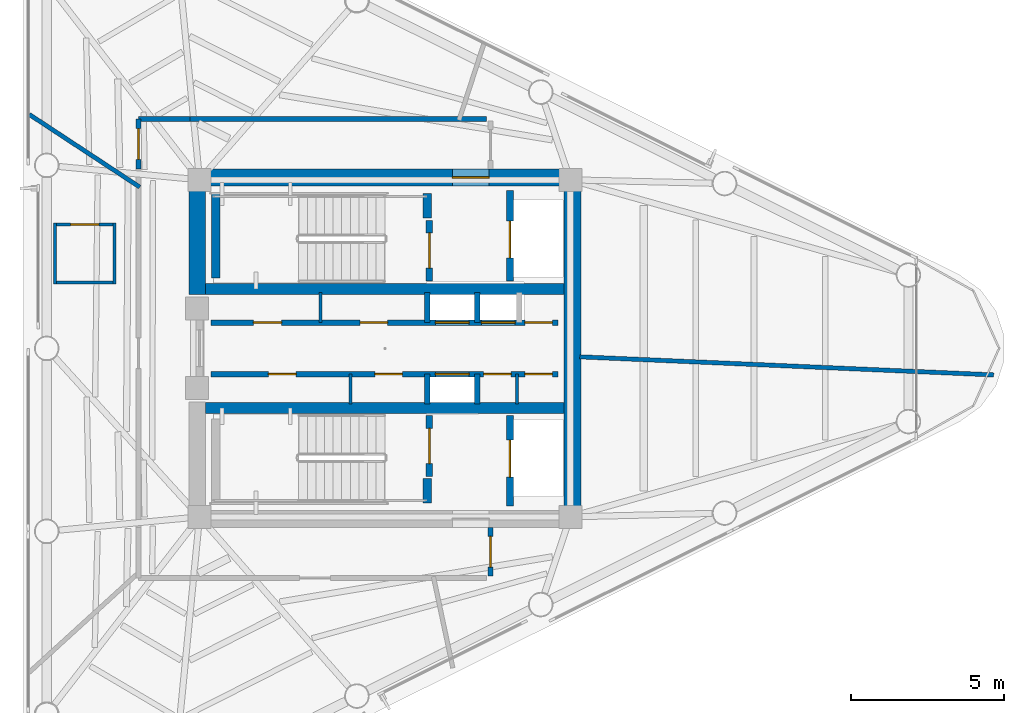
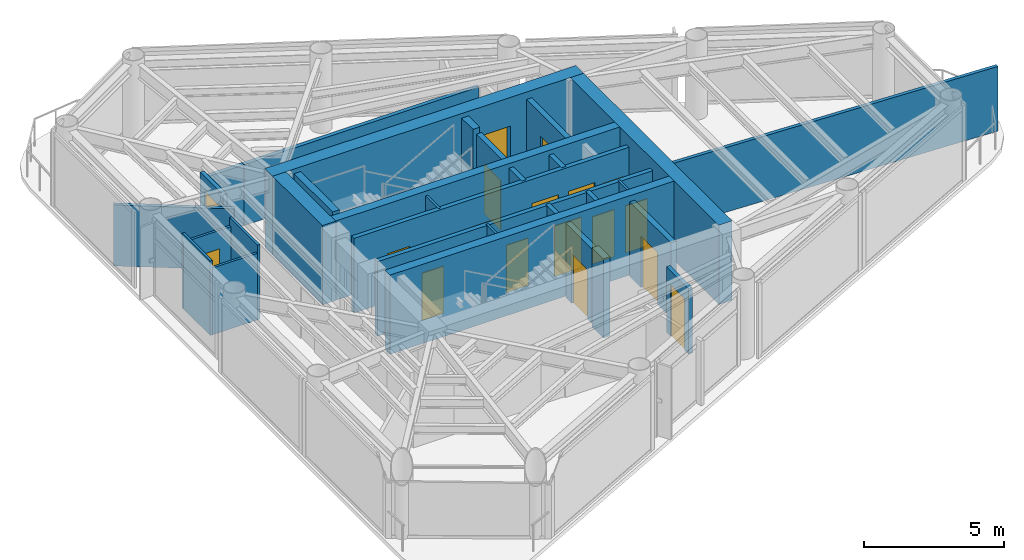
# One storey, part 5 of 10: 31 walls, 18 doors, 18 openings.
"""IFC4 building model written with IfcOpenShell, lengths in metres."""

from ifc_helpers import new_model, si_unit, direction, frame, frame_2d, origin, place, context, subcontext, project, spatial, rectangle, extrude, material, layer, layer_set, type_object, element, fill, save


model = new_model("IFC4")

# Units and contexts
model_context = context("Model", 3, precision=1e-05, world=origin(), true_north=direction((0.0, 1.0)))
body_context = subcontext(model_context, "Body", "Model", "MODEL_VIEW")
ifc_project = project(units=[si_unit("LENGTHUNIT", "METRE"), si_unit("AREAUNIT", "SQUARE_METRE"), si_unit("VOLUMEUNIT", "CUBIC_METRE"), si_unit("PLANEANGLEUNIT", "RADIAN"), si_unit("MASSUNIT", "GRAM", prefix="KILO")], contexts=[model_context])

# Site, building, storey
site_placement = place(None, origin())
site = spatial("IfcSite", under=ifc_project, at=site_placement, CompositionType="ELEMENT")
building_placement = place(site_placement, origin())
building = spatial("IfcBuilding", under=site, at=building_placement, Name="Yunling Apex Tower", CompositionType="ELEMENT")
storey_placement = place(building_placement, frame((0.0, 0.0, 296.75)))
storey = spatial("IfcBuildingStorey", under=building, at=storey_placement, Name="L72", CompositionType="ELEMENT", Elevation=296.75)

# Wall, opening, door
ifc_material_1 = material(Name="Concrete C40", Category="concrete")
ifc_layer_1 = layer(ifc_material_1, 0.550048828125)
ifc_layer_set_1 = layer_set([ifc_layer_1], Name="Concrete C40")
wall_type_1 = type_object("IfcWallType", Name="WL-COR-3", PredefinedType="SHEAR", material=ifc_layer_set_1)
wall_1_placement = place(storey_placement, frame((-6.39990234375, 5.574951171875, 0.0), z_axis=(0.0, 0.0, 1.0), x_axis=(1.0, 0.0, 0.0)))
wall_1 = element("IfcWall", 1, at=wall_1_placement, inside=storey, type_object=wall_type_1, Name="L72 North Core Shear Wall", PredefinedType="SHEAR", context=body_context, shape_type="SweptSolid", body=[
    extrude(rectangle(XDim=12.7998046875, YDim=0.550048828125, at=frame_2d((6.39990234375, 0.0))), origin(), (0.0, 0.0, 1.0), 3.449951171875),
])
opening_1_placement = place(wall_1_placement, frame((8.60009765625, 0.0, 0.0)))
opening_1 = element("IfcOpeningElement", 2, at=opening_1_placement, cuts=wall_1, Name="Opening DR-FFL-1", PredefinedType="OPENING", context=body_context, shape_type="SweptSolid", body=[
    extrude(rectangle(XDim=1.199951171875, YDim=2.199951171875, at=frame_2d((0.60009765625, 1.10009765625))), frame((0.0, 0.28515625, 0.0), z_axis=(0.0, -1.0, 0.0), x_axis=(1.0, 0.0, 0.0)), (0.0, 0.0, 1.0), 0.570068359375),
])
ifc_material_2 = material(Name="Steel Q355B", Category="steel")
door_type_1 = type_object("IfcDoorType", Name="DR-FFL-1", OperationType="NOTDEFINED", PredefinedType="DOOR", material=ifc_material_2)
door_1_placement = place(opening_1_placement, origin())
door_1 = element("IfcDoor", 3, at=door_1_placement, inside=storey, type_object=door_type_1, Name="L72 North Firefighting Lobby Door", OperationType="SINGLE_SWING_LEFT", OverallHeight=2.199951171875, OverallWidth=1.199951171875, PredefinedType="DOOR", context=body_context, shape_type="SweptSolid", body=[
    extrude(rectangle(XDim=1.199951171875, YDim=2.199951171875, at=frame_2d((0.60009765625, 1.10009765625))), frame((0.0, 0.02490234375, 0.0), z_axis=(0.0, -1.0, 0.0), x_axis=(1.0, 0.0, 0.0)), (0.0, 0.0, 1.0), 0.050048828125),
])
fill(opening_1, door_1)

# Walls
wall_2_placement = place(storey_placement, frame((6.125, -5.300048828125, 0.0), z_axis=(0.0, 0.0, 1.0), x_axis=(0.0, 1.0, 0.0)))
element("IfcWall", 4, at=wall_2_placement, inside=storey, type_object=wall_type_1, Name="L72 East Core Shear Wall", PredefinedType="SHEAR", context=body_context, shape_type="SweptSolid", body=[
    extrude(rectangle(XDim=10.60009765625, YDim=0.550048828125, at=frame_2d((5.300048828125, 0.0))), origin(), (0.0, 0.0, 1.0), 3.449951171875),
])
wall_3_placement = place(storey_placement, frame((-6.125, 1.75, 0.0), z_axis=(0.0, 0.0, 1.0), x_axis=(0.0, 1.0, 0.0)))
element("IfcWall", 5, at=wall_3_placement, inside=storey, type_object=wall_type_1, Name="L72 West-North Core Shear Wall", PredefinedType="SHEAR", context=body_context, shape_type="SweptSolid", body=[
    extrude(rectangle(XDim=3.550048828125, YDim=0.550048828125, at=frame_2d((1.77490234375, 0.0))), origin(), (0.0, 0.0, 1.0), 3.449951171875),
])
ifc_layer_2 = layer(ifc_material_1, 0.360107421875)
ifc_layer_set_2 = layer_set([ifc_layer_2], Name="Concrete C40")
wall_type_2 = type_object("IfcWallType", Name="WL-COR-4", PredefinedType="SHEAR", material=ifc_layer_set_2)
for number, where, z_axis, x_axis, name in (
    (6, (-5.85009765625, 1.93994140625, 0.0), (0.0, 0.0, 1.0), (1.0, 0.0, 0.0), "L72 North Internal Core Shear Wall"),
    (7, (-5.85009765625, -1.93994140625, 0.0), (0.0, 0.0, 1.0), (1.0, 0.0, 0.0), "L72 South Internal Core Shear Wall"),
):
    element("IfcWall", number, at=place(storey_placement, frame(where, z_axis=z_axis, x_axis=x_axis)), inside=storey, type_object=wall_type_2, Name=name, PredefinedType="SHEAR", context=body_context, shape_type="SweptSolid", body=[
        extrude(rectangle(XDim=11.7001953125, YDim=0.360107421875, at=frame_2d((5.85009765625, 0.0))), origin(), (0.0, 0.0, 1.0), 3.449951171875),
    ])
ifc_layer_3 = layer(ifc_material_1, 0.280029296875)
ifc_layer_set_3 = layer_set([ifc_layer_3], Name="Concrete C40")
wall_type_3 = type_object("IfcWallType", Name="WL-COR-8", PredefinedType="SHEAR", material=ifc_layer_set_3)
wall_4_placement = place(storey_placement, frame((-5.52001953125, 2.300048828125, 0.0), z_axis=(0.0, 0.0, 1.0), x_axis=(0.0, 1.0, 0.0)))
element("IfcWall", 8, at=wall_4_placement, inside=storey, type_object=wall_type_3, Name="L72 ST-1 West Landing Bearing Wall", PredefinedType="SHEAR", context=body_context, shape_type="SweptSolid", body=[
    extrude(rectangle(XDim=2.75, YDim=0.280029296875, at=frame_2d((1.375, 0.0))), origin(), (0.0, 0.0, 1.0), 3.449951171875),
])
for number, where, z_axis, x_axis, name in (
    (9, (1.3798828125, 4.25, 0.0), (0.0, 0.0, 1.0), (0.0, 1.0, 0.0), "L72 ST-1 East Landing Bearing Pier"),
    (10, (1.3798828125, -5.050048828125, 0.0), (0.0, 0.0, 1.0), (0.0, 1.0, 0.0), "L72 ST-2 East Landing Bearing Pier"),
):
    element("IfcWall", number, at=place(storey_placement, frame(where, z_axis=z_axis, x_axis=x_axis)), inside=storey, type_object=wall_type_3, Name=name, PredefinedType="SHEAR", context=body_context, shape_type="SweptSolid", body=[
        extrude(rectangle(XDim=0.800048828125, YDim=0.280029296875, at=frame_2d((0.39990234375, 0.0))), origin(), (0.0, 0.0, 1.0), 3.449951171875),
    ])

# Wall, opening, door
ifc_material_3 = material(Name="Gypsum board acoustic partition")
ifc_layer_4 = layer(ifc_material_3, 0.159912109375)
ifc_layer_set_4 = layer_set([ifc_layer_4], Name="Gypsum board acoustic partition")
wall_type_4 = type_object("IfcWallType", Name="WL-PRT-1", PredefinedType="PARTITIONING", material=ifc_layer_set_4)
wall_5_placement = place(storey_placement, frame((-8.0400390625, 5.85009765625, 0.0), z_axis=(0.0, 0.0, 1.0), x_axis=(0.0, 1.0, 0.0)))
wall_5 = element("IfcWall", 11, at=wall_5_placement, inside=storey, type_object=wall_type_4, Name="WL-CORR-L72-01", PredefinedType="PARTITIONING", context=body_context, shape_type="SweptSolid", body=[
    extrude(rectangle(XDim=1.639892578125, YDim=0.159912109375, at=frame_2d((0.81982421875, 0.0))), origin(), (0.0, 0.0, 1.0), 2.905029296875),
])
opening_2_placement = place(wall_5_placement, frame((0.320068359375, 0.0, 0.0)))
opening_2 = element("IfcOpeningElement", 12, at=opening_2_placement, cuts=wall_5, Name="Opening DR-OFF-1", PredefinedType="OPENING", context=body_context, shape_type="SweptSolid", body=[
    extrude(rectangle(XDim=1.0, YDim=2.25, at=frame_2d((0.5, 1.125))), frame((0.0, 0.08984375, 0.0), z_axis=(0.0, -1.0, 0.0), x_axis=(1.0, 0.0, 0.0)), (0.0, 0.0, 1.0), 0.179931640625),
])
ifc_material_4 = material(Name="Bronze anodised aluminium", Category="aluminium")
door_type_2 = type_object("IfcDoorType", Name="DR-OFF-1", OperationType="NOTDEFINED", PredefinedType="DOOR", material=ifc_material_4)
door_2_placement = place(opening_2_placement, origin())
door_2 = element("IfcDoor", 13, at=door_2_placement, inside=storey, type_object=door_type_2, Name="L72 Parcel Archive Store Door", OperationType="SINGLE_SWING_RIGHT", OverallHeight=2.25, OverallWidth=1.0, PredefinedType="DOOR", context=body_context, shape_type="SweptSolid", body=[
    extrude(rectangle(XDim=1.0, YDim=2.25, at=frame_2d((0.5, 1.125))), frame((0.0, 0.02490234375, 0.0), z_axis=(0.0, -1.0, 0.0), x_axis=(1.0, 0.0, 0.0)), (0.0, 0.0, 1.0), 0.050048828125),
])
fill(opening_2, door_2)

# Walls
wall_6_placement = place(storey_placement, frame((-8.0400390625, 7.489990234375, 0.0), z_axis=(0.0, 0.0, 1.0), x_axis=(1.0, 0.0, 0.0)))
element("IfcWall", 14, at=wall_6_placement, inside=storey, type_object=wall_type_4, Name="WL-CORR-L72-02", PredefinedType="PARTITIONING", context=body_context, shape_type="SweptSolid", body=[
    extrude(rectangle(XDim=1.679931640625, YDim=0.159912109375, at=frame_2d((0.83984375, 0.0))), origin(), (0.0, 0.0, 1.0), 2.655029296875),
])
wall_7_placement = place(storey_placement, frame((-6.360107421875, 7.489990234375, 0.0), z_axis=(0.0, 0.0, 1.0), x_axis=(1.0, 0.0, 0.0)))
element("IfcWall", 15, at=wall_7_placement, inside=storey, type_object=wall_type_4, Name="WL-CORR-L72-03", PredefinedType="PARTITIONING", context=body_context, shape_type="SweptSolid", body=[
    extrude(rectangle(XDim=9.67919921875, YDim=0.159912109375, at=frame_2d((4.839599609375, 0.0))), origin(), (0.0, 0.0, 1.0), 2.655029296875),
])

# Wall, opening, door
wall_8_placement = place(storey_placement, frame((3.449951171875, -5.85009765625, 0.0), z_axis=(0.0, 0.0, 1.0), x_axis=(0.0, -1.0, 0.0)))
wall_8 = element("IfcWall", 16, at=wall_8_placement, inside=storey, type_object=wall_type_4, Name="WL-CORR-L72-05", PredefinedType="PARTITIONING", context=body_context, shape_type="SweptSolid", body=[
    extrude(rectangle(XDim=1.57470703125, YDim=0.159912109375, at=frame_2d((0.787353515625, 0.0))), origin(), (0.0, 0.0, 1.0), 2.85498046875),
])
opening_3_placement = place(wall_8_placement, frame((0.287353515625, 0.0, 0.0)))
opening_3 = element("IfcOpeningElement", 17, at=opening_3_placement, cuts=wall_8, Name="Opening DR-OFF-1", PredefinedType="OPENING", context=body_context, shape_type="SweptSolid", body=[
    extrude(rectangle(XDim=1.0, YDim=2.25, at=frame_2d((0.5, 1.125))), frame((0.0, 0.08984375, 0.0), z_axis=(0.0, -1.0, 0.0), x_axis=(1.0, 0.0, 0.0)), (0.0, 0.0, 1.0), 0.179931640625),
])
door_3_placement = place(opening_3_placement, origin())
door_3 = element("IfcDoor", 18, at=door_3_placement, inside=storey, type_object=door_type_2, Name="L72 Parcel Archive Store Door", OperationType="SINGLE_SWING_RIGHT", OverallHeight=2.25, OverallWidth=1.0, PredefinedType="DOOR", context=body_context, shape_type="SweptSolid", body=[
    extrude(rectangle(XDim=1.0, YDim=2.25, at=frame_2d((0.5, 1.125))), frame((0.0, 0.02490234375, 0.0), z_axis=(0.0, -1.0, 0.0), x_axis=(1.0, 0.0, 0.0)), (0.0, 0.0, 1.0), 0.050048828125),
])
fill(opening_3, door_3)

# Walls
ifc_layer_5 = layer(ifc_material_3, 0.139892578125)
ifc_layer_set_5 = layer_set([ifc_layer_5], Name="Gypsum board acoustic partition")
wall_type_5 = type_object("IfcWallType", Name="WL-PRT-2", PredefinedType="PARTITIONING", material=ifc_layer_set_5)
wall_9_placement = place(storey_placement, frame((6.360107421875, -0.277587890625, 0.0), z_axis=(0.0, 0.0, 1.0), x_axis=(0.999047623791, -0.043633076864, 0.0)))
element("IfcWall", 19, at=wall_9_placement, inside=storey, type_object=wall_type_5, Name="WL-RAD-L72-01", PredefinedType="PARTITIONING", context=body_context, shape_type="SweptSolid", body=[
    extrude(rectangle(XDim=13.52392578125, YDim=0.139892578125, at=frame_2d((6.761962890625, 0.0))), origin(), (0.0, 0.0, 1.0), 2.81494140625),
])
wall_10_placement = place(storey_placement, frame((-8.0, 5.26171875, 0.0), z_axis=(0.0, 0.0, 1.0), x_axis=(-0.835496328285, 0.549496028578, 0.0)))
element("IfcWall", 20, at=wall_10_placement, inside=storey, type_object=wall_type_5, Name="WL-RAD-L72-03", PredefinedType="PARTITIONING", context=body_context, shape_type="SweptSolid", body=[
    extrude(rectangle(XDim=4.317626953125, YDim=0.139892578125, at=frame_2d((2.15869140625, 0.0))), origin(), (0.0, 0.0, 1.0), 2.655029296875),
])
ifc_layer_6 = layer(ifc_material_3, 0.10009765625)
ifc_layer_set_6 = layer_set([ifc_layer_6], Name="Gypsum board acoustic partition")
wall_type_6 = type_object("IfcWallType", Name="WL-PRT-4", PredefinedType="PARTITIONING", material=ifc_layer_set_6)
for number, where, z_axis, x_axis, name in (
    (21, (-2.10009765625, 0.840087890625, 0.0), (0.0, 0.0, 1.0), (0.0, 1.0, 0.0), "WL-RECLMC-N-L72"),
    (22, (-1.1201171875, -1.820068359375, 0.0), (0.0, 0.0, 1.0), (0.0, 1.0, 0.0), "WL-RECLMC-S-L72"),
    (23, (4.31005859375, -1.820068359375, 0.0), (0.0, 0.0, 1.0), (0.0, 1.0, 0.0), "WL-KCDIV-L72"),
):
    element("IfcWall", number, at=place(storey_placement, frame(where, z_axis=z_axis, x_axis=x_axis)), inside=storey, type_object=wall_type_6, Name=name, PredefinedType="PARTITIONING", context=body_context, shape_type="SweptSolid", body=[
        extrude(rectangle(XDim=0.97998046875, YDim=0.10009765625, at=frame_2d((0.489990234375, 0.0))), origin(), (0.0, 0.0, 1.0), 3.25),
    ])

# Wall, opening, door
wall_11_placement = place(storey_placement, frame((-10.819091796875, 4.047119140625, 0.0), z_axis=(0.0, 0.0, 1.0), x_axis=(1.0, 0.0, 0.0)))
wall_11 = element("IfcWall", 24, at=wall_11_placement, inside=storey, type_object=wall_type_6, Name="WL-L72-RWC1N", PredefinedType="PARTITIONING", context=body_context, shape_type="SweptSolid", body=[
    extrude(rectangle(XDim=2.050048828125, YDim=0.10009765625, at=frame_2d((1.02490234375, 0.0))), origin(), (0.0, 0.0, 1.0), 2.905029296875),
])
opening_4_placement = place(wall_11_placement, frame((0.56494140625, 0.0, 0.0)))
opening_4 = element("IfcOpeningElement", 25, at=opening_4_placement, cuts=wall_11, Name="Opening DR-WC-1", PredefinedType="OPENING", context=body_context, shape_type="SweptSolid", body=[
    extrude(rectangle(XDim=0.919921875, YDim=2.10009765625, at=frame_2d((0.4599609375, 1.050048828125))), frame((0.0, 0.06005859375, 0.0), z_axis=(0.0, -1.0, 0.0), x_axis=(1.0, 0.0, 0.0)), (0.0, 0.0, 1.0), 0.1201171875),
])
ifc_material_5 = material(Name="Timber moisture-resistant leaf", Category="wood")
door_type_3 = type_object("IfcDoorType", Name="DR-WC-1", OperationType="NOTDEFINED", PredefinedType="DOOR", material=ifc_material_5)
door_4_placement = place(opening_4_placement, origin())
door_4 = element("IfcDoor", 26, at=door_4_placement, inside=storey, type_object=door_type_3, Name="L72 Accessible WC Door", OperationType="SINGLE_SWING_LEFT", OverallHeight=2.10009765625, OverallWidth=0.919921875, PredefinedType="DOOR", context=body_context, shape_type="SweptSolid", body=[
    extrude(rectangle(XDim=0.919921875, YDim=2.10009765625, at=frame_2d((0.4599609375, 1.050048828125))), frame((0.0, 0.02490234375, 0.0), z_axis=(0.0, -1.0, 0.0), x_axis=(1.0, 0.0, 0.0)), (0.0, 0.0, 1.0), 0.050048828125),
])
fill(opening_4, door_4)

# Walls
wall_12_placement = place(storey_placement, frame((-8.76904296875, 2.14697265625, 0.0), z_axis=(0.0, 0.0, 1.0), x_axis=(-1.0, 0.0, 0.0)))
element("IfcWall", 27, at=wall_12_placement, inside=storey, type_object=wall_type_6, Name="WL-L72-RWC1S", PredefinedType="PARTITIONING", context=body_context, shape_type="SweptSolid", body=[
    extrude(rectangle(XDim=2.050048828125, YDim=0.10009765625, at=frame_2d((1.02490234375, 0.0))), origin(), (0.0, 0.0, 1.0), 2.905029296875),
])
for number, where, z_axis, x_axis, name in (
    (28, (-8.819091796875, 4.096923828125, 0.0), (0.0, 0.0, 1.0), (0.0, -1.0, 0.0), "WL-L72-RWC1E"),
    (29, (-10.76904296875, 2.096923828125, 0.0), (0.0, 0.0, 1.0), (0.0, 1.0, 0.0), "WL-L72-RWC1W"),
):
    element("IfcWall", number, at=place(storey_placement, frame(where, z_axis=z_axis, x_axis=x_axis)), inside=storey, type_object=wall_type_6, Name=name, PredefinedType="PARTITIONING", context=body_context, shape_type="SweptSolid", body=[
        extrude(rectangle(XDim=2.0, YDim=0.10009765625, at=frame_2d((1.0, 0.0))), origin(), (0.0, 0.0, 1.0), 3.25),
    ])

# Wall, opening, door
ifc_material_6 = material(Name="Autoclaved aerated concrete masonry", Category="masonry")
ifc_layer_7 = layer(ifc_material_6, 0.219970703125)
ifc_layer_set_7 = layer_set([ifc_layer_7], Name="Autoclaved aerated concrete masonry")
wall_type_7 = type_object("IfcWallType", Name="WL-SHF-1", PredefinedType="PLUMBINGWALL", material=ifc_layer_set_7)
wall_13_placement = place(storey_placement, frame((1.449951171875, 2.199951171875, 0.0), z_axis=(0.0, 0.0, 1.0), x_axis=(0.0, 1.0, 0.0)))
wall_13 = element("IfcWall", 30, at=wall_13_placement, inside=storey, type_object=wall_type_7, Name="WL-ST1-E-L72", PredefinedType="PLUMBINGWALL", context=body_context, shape_type="SweptSolid", body=[
    extrude(rectangle(XDim=1.97998046875, YDim=0.219970703125, at=frame_2d((0.989990234375, 0.0))), origin(), (0.0, 0.0, 1.0), 3.25),
])
opening_5_placement = place(wall_13_placement, frame((0.419921875, 0.0, 0.0)))
opening_5 = element("IfcOpeningElement", 31, at=opening_5_placement, cuts=wall_13, Name="Opening DR-ST-1", PredefinedType="OPENING", context=body_context, shape_type="SweptSolid", body=[
    extrude(rectangle(XDim=1.14990234375, YDim=2.14990234375, at=frame_2d((0.574951171875, 1.074951171875))), frame((0.0, 0.1201171875, 0.0), z_axis=(0.0, -1.0, 0.0), x_axis=(1.0, 0.0, 0.0)), (0.0, 0.0, 1.0), 0.239990234375),
])
door_type_4 = type_object("IfcDoorType", Name="DR-ST-1", OperationType="NOTDEFINED", PredefinedType="DOOR", material=ifc_material_2)
door_5_placement = place(opening_5_placement, origin())
door_5 = element("IfcDoor", 32, at=door_5_placement, inside=storey, type_object=door_type_4, Name="L72 Stair ST-1 Fire Door", OperationType="SINGLE_SWING_RIGHT", OverallHeight=2.14990234375, OverallWidth=1.14990234375, PredefinedType="DOOR", context=body_context, shape_type="SweptSolid", body=[
    extrude(rectangle(XDim=1.14990234375, YDim=2.14990234375, at=frame_2d((0.574951171875, 1.074951171875))), frame((0.0, 0.02490234375, 0.0), z_axis=(0.0, -1.0, 0.0), x_axis=(1.0, 0.0, 0.0)), (0.0, 0.0, 1.0), 0.050048828125),
])
fill(opening_5, door_5)

wall_14_placement = place(storey_placement, frame((4.080078125, 2.199951171875, 0.0), z_axis=(0.0, 0.0, 1.0), x_axis=(0.0, 1.0, 0.0)))
wall_14 = element("IfcWall", 33, at=wall_14_placement, inside=storey, type_object=wall_type_7, Name="WL-FFL1-W-L72", PredefinedType="PLUMBINGWALL", context=body_context, shape_type="SweptSolid", body=[
    extrude(rectangle(XDim=2.949951171875, YDim=0.219970703125, at=frame_2d((1.47509765625, 0.0))), origin(), (0.0, 0.0, 1.0), 3.25),
])
opening_6_placement = place(wall_14_placement, frame((0.75, 0.0, 0.0)))
opening_6 = element("IfcOpeningElement", 34, at=opening_6_placement, cuts=wall_14, Name="Opening LD-FFL-1", PredefinedType="OPENING", context=body_context, shape_type="SweptSolid", body=[
    extrude(rectangle(XDim=1.199951171875, YDim=2.25, at=frame_2d((0.60009765625, 1.125))), frame((0.0, 0.1201171875, 0.0), z_axis=(0.0, -1.0, 0.0), x_axis=(1.0, 0.0, 0.0)), (0.0, 0.0, 1.0), 0.239990234375),
])
door_type_5 = type_object("IfcDoorType", Name="LD-FFL-1", OperationType="DOUBLE_DOOR_SLIDING", PredefinedType="DOOR", material=ifc_material_2)
door_6_placement = place(opening_6_placement, origin())
door_6 = element("IfcDoor", 35, at=door_6_placement, inside=storey, type_object=door_type_5, Name="L72 Lift FFL-1 Landing Door", OperationType="DOUBLE_DOOR_SLIDING", OverallHeight=2.25, OverallWidth=1.199951171875, PredefinedType="DOOR", context=body_context, shape_type="SweptSolid", body=[
    extrude(rectangle(XDim=1.199951171875, YDim=2.25, at=frame_2d((0.60009765625, 1.125))), frame((0.0, 0.02490234375, 0.0), z_axis=(0.0, -1.0, 0.0), x_axis=(1.0, 0.0, 0.0)), (0.0, 0.0, 1.0), 0.050048828125),
])
fill(opening_6, door_6)

wall_15_placement = place(storey_placement, frame((1.449951171875, -4.179931640625, 0.0), z_axis=(0.0, 0.0, 1.0), x_axis=(0.0, 1.0, 0.0)))
wall_15 = element("IfcWall", 36, at=wall_15_placement, inside=storey, type_object=wall_type_7, Name="WL-ST2-E-L72", PredefinedType="PLUMBINGWALL", context=body_context, shape_type="SweptSolid", body=[
    extrude(rectangle(XDim=1.97998046875, YDim=0.219970703125, at=frame_2d((0.989990234375, 0.0))), origin(), (0.0, 0.0, 1.0), 3.25),
])
opening_7_placement = place(wall_15_placement, frame((0.419921875, 0.0, 0.0)))
opening_7 = element("IfcOpeningElement", 37, at=opening_7_placement, cuts=wall_15, Name="Opening DR-ST-1", PredefinedType="OPENING", context=body_context, shape_type="SweptSolid", body=[
    extrude(rectangle(XDim=1.14990234375, YDim=2.14990234375, at=frame_2d((0.574951171875, 1.074951171875))), frame((0.0, 0.1201171875, 0.0), z_axis=(0.0, -1.0, 0.0), x_axis=(1.0, 0.0, 0.0)), (0.0, 0.0, 1.0), 0.239990234375),
])
door_7_placement = place(opening_7_placement, origin())
door_7 = element("IfcDoor", 38, at=door_7_placement, inside=storey, type_object=door_type_4, Name="L72 Stair ST-2 Fire Door", OperationType="SINGLE_SWING_LEFT", OverallHeight=2.14990234375, OverallWidth=1.14990234375, PredefinedType="DOOR", context=body_context, shape_type="SweptSolid", body=[
    extrude(rectangle(XDim=1.14990234375, YDim=2.14990234375, at=frame_2d((0.574951171875, 1.074951171875))), frame((0.0, 0.02490234375, 0.0), z_axis=(0.0, -1.0, 0.0), x_axis=(1.0, 0.0, 0.0)), (0.0, 0.0, 1.0), 0.050048828125),
])
fill(opening_7, door_7)

wall_16_placement = place(storey_placement, frame((4.080078125, -5.14990234375, 0.0), z_axis=(0.0, 0.0, 1.0), x_axis=(0.0, 1.0, 0.0)))
wall_16 = element("IfcWall", 39, at=wall_16_placement, inside=storey, type_object=wall_type_7, Name="WL-FFL2-W-L72", PredefinedType="PLUMBINGWALL", context=body_context, shape_type="SweptSolid", body=[
    extrude(rectangle(XDim=2.949951171875, YDim=0.219970703125, at=frame_2d((1.47509765625, 0.0))), origin(), (0.0, 0.0, 1.0), 3.25),
])
opening_8_placement = place(wall_16_placement, frame((0.949951171875, 0.0, 0.0)))
opening_8 = element("IfcOpeningElement", 40, at=opening_8_placement, cuts=wall_16, Name="Opening LD-FFL-1", PredefinedType="OPENING", context=body_context, shape_type="SweptSolid", body=[
    extrude(rectangle(XDim=1.199951171875, YDim=2.25, at=frame_2d((0.60009765625, 1.125))), frame((0.0, 0.1201171875, 0.0), z_axis=(0.0, -1.0, 0.0), x_axis=(1.0, 0.0, 0.0)), (0.0, 0.0, 1.0), 0.239990234375),
])
door_8_placement = place(opening_8_placement, origin())
door_8 = element("IfcDoor", 41, at=door_8_placement, inside=storey, type_object=door_type_5, Name="L72 Lift FFL-2 Landing Door", OperationType="DOUBLE_DOOR_SLIDING", OverallHeight=2.25, OverallWidth=1.199951171875, PredefinedType="DOOR", context=body_context, shape_type="SweptSolid", body=[
    extrude(rectangle(XDim=1.199951171875, YDim=2.25, at=frame_2d((0.60009765625, 1.125))), frame((0.0, 0.02490234375, 0.0), z_axis=(0.0, -1.0, 0.0), x_axis=(1.0, 0.0, 0.0)), (0.0, 0.0, 1.0), 0.050048828125),
])
fill(opening_8, door_8)

# Walls
ifc_layer_8 = layer(ifc_material_6, 0.179931640625)
ifc_layer_set_8 = layer_set([ifc_layer_8], Name="Autoclaved aerated concrete masonry")
wall_type_8 = type_object("IfcWallType", Name="WL-SHF-2", PredefinedType="PLUMBINGWALL", material=ifc_layer_set_8)
for number, where, z_axis, x_axis, name in (
    (42, (1.3798828125, 0.840087890625, 0.0), (0.0, 0.0, 1.0), (0.0, 1.0, 0.0), "WL-BNK-MH-N-L72"),
    (43, (1.3798828125, -1.820068359375, 0.0), (0.0, 0.0, 1.0), (0.0, 1.0, 0.0), "WL-BNK-MH-S-L72"),
    (44, (3.02001953125, 0.840087890625, 0.0), (0.0, 0.0, 1.0), (0.0, 1.0, 0.0), "WL-DIV-H13-L72"),
    (45, (3.02001953125, -1.820068359375, 0.0), (0.0, 0.0, 1.0), (0.0, 1.0, 0.0), "WL-END-H2E-L72"),
):
    element("IfcWall", number, at=place(storey_placement, frame(where, z_axis=z_axis, x_axis=x_axis)), inside=storey, type_object=wall_type_8, Name=name, PredefinedType="PLUMBINGWALL", context=body_context, shape_type="SweptSolid", body=[
        extrude(rectangle(XDim=0.97998046875, YDim=0.179931640625, at=frame_2d((0.489990234375, 0.0))), origin(), (0.0, 0.0, 1.0), 3.25),
    ])

# Wall, openings, doors
wall_17_placement = place(storey_placement, frame((-5.679931640625, 0.840087890625, 0.0), z_axis=(0.0, 0.0, 1.0), x_axis=(1.0, 0.0, 0.0)))
wall_17 = element("IfcWall", 46, at=wall_17_placement, inside=storey, type_object=wall_type_8, Name="WL-LOB-N-L72", PredefinedType="PLUMBINGWALL", context=body_context, shape_type="SweptSolid", body=[
    extrude(rectangle(XDim=11.329833984375, YDim=0.179931640625, at=frame_2d((5.6650390625, 0.0))), origin(), (0.0, 0.0, 1.0), 3.25),
])
opening_9_placement = place(wall_17_placement, frame((1.389892578125, 0.0, 0.0)))
opening_9 = element("IfcOpeningElement", 47, at=opening_9_placement, cuts=wall_17, Name="Opening DR-WC-1", PredefinedType="OPENING", context=body_context, shape_type="SweptSolid", body=[
    extrude(rectangle(XDim=0.919921875, YDim=2.10009765625, at=frame_2d((0.4599609375, 1.050048828125))), frame((0.0, 0.10009765625, 0.0), z_axis=(0.0, -1.0, 0.0), x_axis=(1.0, 0.0, 0.0)), (0.0, 0.0, 1.0), 0.199951171875),
])
opening_10_placement = place(wall_17_placement, frame((4.8701171875, 0.0, 0.0)))
opening_10 = element("IfcOpeningElement", 48, at=opening_10_placement, cuts=wall_17, Name="Opening DR-SHF-1", PredefinedType="OPENING", context=body_context, shape_type="SweptSolid", body=[
    extrude(rectangle(XDim=0.89990234375, YDim=2.050048828125, at=frame_2d((0.449951171875, 1.02490234375))), frame((0.0, 0.10009765625, 0.0), z_axis=(0.0, -1.0, 0.0), x_axis=(1.0, 0.0, 0.0)), (0.0, 0.0, 1.0), 0.199951171875),
])
opening_11_placement = place(wall_17_placement, frame((7.330078125, 0.0, 0.0)))
opening_11 = element("IfcOpeningElement", 49, at=opening_11_placement, cuts=wall_17, Name="Opening LD-PAS-1", PredefinedType="OPENING", context=body_context, shape_type="SweptSolid", body=[
    extrude(rectangle(XDim=1.10009765625, YDim=2.199951171875, at=frame_2d((0.550048828125, 1.10009765625))), frame((0.0, 0.10009765625, 0.0), z_axis=(0.0, -1.0, 0.0), x_axis=(1.0, 0.0, 0.0)), (0.0, 0.0, 1.0), 0.199951171875),
])
opening_12_placement = place(wall_17_placement, frame((8.830078125, 0.0, 0.0)))
opening_12 = element("IfcOpeningElement", 50, at=opening_12_placement, cuts=wall_17, Name="Opening LD-PAS-1", PredefinedType="OPENING", context=body_context, shape_type="SweptSolid", body=[
    extrude(rectangle(XDim=1.10009765625, YDim=2.199951171875, at=frame_2d((0.550048828125, 1.10009765625))), frame((0.0, 0.10009765625, 0.0), z_axis=(0.0, -1.0, 0.0), x_axis=(1.0, 0.0, 0.0)), (0.0, 0.0, 1.0), 0.199951171875),
])
opening_13_placement = place(wall_17_placement, frame((10.25, 0.0, 0.0)))
opening_13 = element("IfcOpeningElement", 51, at=opening_13_placement, cuts=wall_17, Name="Opening DR-SHF-1", PredefinedType="OPENING", context=body_context, shape_type="SweptSolid", body=[
    extrude(rectangle(XDim=0.89990234375, YDim=2.050048828125, at=frame_2d((0.449951171875, 1.02490234375))), frame((0.0, 0.10009765625, 0.0), z_axis=(0.0, -1.0, 0.0), x_axis=(1.0, 0.0, 0.0)), (0.0, 0.0, 1.0), 0.199951171875),
])
door_type_6 = type_object("IfcDoorType", Name="DR-SHF-1", OperationType="NOTDEFINED", PredefinedType="DOOR", material=ifc_material_2)
door_9_placement = place(opening_10_placement, origin())
door_9 = element("IfcDoor", 52, at=door_9_placement, inside=storey, type_object=door_type_6, Name="L72 Electrical Plant Door", OperationType="SINGLE_SWING_LEFT", OverallHeight=2.050048828125, OverallWidth=0.89990234375, PredefinedType="DOOR", context=body_context, shape_type="SweptSolid", body=[
    extrude(rectangle(XDim=0.89990234375, YDim=2.050048828125, at=frame_2d((0.449951171875, 1.02490234375))), frame((0.0, 0.02490234375, 0.0), z_axis=(0.0, -1.0, 0.0), x_axis=(1.0, 0.0, 0.0)), (0.0, 0.0, 1.0), 0.050048828125),
])
fill(opening_10, door_9)
door_10_placement = place(opening_13_placement, origin())
door_10 = element("IfcDoor", 53, at=door_10_placement, inside=storey, type_object=door_type_6, Name="L72 Floor Supply Store Door", OperationType="SINGLE_SWING_RIGHT", OverallHeight=2.050048828125, OverallWidth=0.89990234375, PredefinedType="DOOR", context=body_context, shape_type="SweptSolid", body=[
    extrude(rectangle(XDim=0.89990234375, YDim=2.050048828125, at=frame_2d((0.449951171875, 1.02490234375))), frame((0.0, 0.02490234375, 0.0), z_axis=(0.0, -1.0, 0.0), x_axis=(1.0, 0.0, 0.0)), (0.0, 0.0, 1.0), 0.050048828125),
])
fill(opening_13, door_10)
door_11_placement = place(opening_9_placement, origin())
door_11 = element("IfcDoor", 54, at=door_11_placement, inside=storey, type_object=door_type_3, Name="L72 Staff WC Door", OperationType="SINGLE_SWING_RIGHT", OverallHeight=2.10009765625, OverallWidth=0.919921875, PredefinedType="DOOR", context=body_context, shape_type="SweptSolid", body=[
    extrude(rectangle(XDim=0.919921875, YDim=2.10009765625, at=frame_2d((0.4599609375, 1.050048828125))), frame((0.0, 0.02490234375, 0.0), z_axis=(0.0, -1.0, 0.0), x_axis=(1.0, 0.0, 0.0)), (0.0, 0.0, 1.0), 0.050048828125),
])
fill(opening_9, door_11)
ifc_material_7 = material(Name="Silver anodised aluminium", Category="aluminium")
door_type_7 = type_object("IfcDoorType", Name="LD-PAS-1", OperationType="DOUBLE_DOOR_SLIDING", PredefinedType="DOOR", material=ifc_material_7)
door_12_placement = place(opening_11_placement, origin())
door_12 = element("IfcDoor", 55, at=door_12_placement, inside=storey, type_object=door_type_7, Name="L72 Lift PL-H1 Landing Door", OperationType="DOUBLE_DOOR_SLIDING", OverallHeight=2.199951171875, OverallWidth=1.10009765625, PredefinedType="DOOR", context=body_context, shape_type="SweptSolid", body=[
    extrude(rectangle(XDim=1.10009765625, YDim=2.199951171875, at=frame_2d((0.550048828125, 1.10009765625))), frame((0.0, 0.02490234375, 0.0), z_axis=(0.0, -1.0, 0.0), x_axis=(1.0, 0.0, 0.0)), (0.0, 0.0, 1.0), 0.050048828125),
])
fill(opening_11, door_12)
door_13_placement = place(opening_12_placement, origin())
door_13 = element("IfcDoor", 56, at=door_13_placement, inside=storey, type_object=door_type_7, Name="L72 Lift PL-H3 Landing Door", OperationType="DOUBLE_DOOR_SLIDING", OverallHeight=2.199951171875, OverallWidth=1.10009765625, PredefinedType="DOOR", context=body_context, shape_type="SweptSolid", body=[
    extrude(rectangle(XDim=1.10009765625, YDim=2.199951171875, at=frame_2d((0.550048828125, 1.10009765625))), frame((0.0, 0.02490234375, 0.0), z_axis=(0.0, -1.0, 0.0), x_axis=(1.0, 0.0, 0.0)), (0.0, 0.0, 1.0), 0.050048828125),
])
fill(opening_12, door_13)

wall_18_placement = place(storey_placement, frame((-5.679931640625, -0.840087890625, 0.0), z_axis=(0.0, 0.0, 1.0), x_axis=(1.0, 0.0, 0.0)))
wall_18 = element("IfcWall", 57, at=wall_18_placement, inside=storey, type_object=wall_type_8, Name="WL-LOB-S-L72", PredefinedType="PLUMBINGWALL", context=body_context, shape_type="SweptSolid", body=[
    extrude(rectangle(XDim=11.329833984375, YDim=0.179931640625, at=frame_2d((5.6650390625, 0.0))), origin(), (0.0, 0.0, 1.0), 3.25),
])
opening_14_placement = place(wall_18_placement, frame((1.8798828125, 0.0, 0.0)))
opening_14 = element("IfcOpeningElement", 58, at=opening_14_placement, cuts=wall_18, Name="Opening DR-SHF-1", PredefinedType="OPENING", context=body_context, shape_type="SweptSolid", body=[
    extrude(rectangle(XDim=0.89990234375, YDim=2.050048828125, at=frame_2d((0.449951171875, 1.02490234375))), frame((0.0, 0.10009765625, 0.0), z_axis=(0.0, -1.0, 0.0), x_axis=(1.0, 0.0, 0.0)), (0.0, 0.0, 1.0), 0.199951171875),
])
opening_15_placement = place(wall_18_placement, frame((5.35009765625, 0.0, 0.0)))
opening_15 = element("IfcOpeningElement", 59, at=opening_15_placement, cuts=wall_18, Name="Opening DR-SHF-1", PredefinedType="OPENING", context=body_context, shape_type="SweptSolid", body=[
    extrude(rectangle(XDim=0.89990234375, YDim=2.050048828125, at=frame_2d((0.449951171875, 1.02490234375))), frame((0.0, 0.10009765625, 0.0), z_axis=(0.0, -1.0, 0.0), x_axis=(1.0, 0.0, 0.0)), (0.0, 0.0, 1.0), 0.199951171875),
])
opening_16_placement = place(wall_18_placement, frame((7.330078125, 0.0, 0.0)))
opening_16 = element("IfcOpeningElement", 60, at=opening_16_placement, cuts=wall_18, Name="Opening LD-PAS-1", PredefinedType="OPENING", context=body_context, shape_type="SweptSolid", body=[
    extrude(rectangle(XDim=1.10009765625, YDim=2.199951171875, at=frame_2d((0.550048828125, 1.10009765625))), frame((0.0, 0.10009765625, 0.0), z_axis=(0.0, -1.0, 0.0), x_axis=(1.0, 0.0, 0.0)), (0.0, 0.0, 1.0), 0.199951171875),
])
opening_17_placement = place(wall_18_placement, frame((8.89990234375, 0.0, 0.0)))
opening_17 = element("IfcOpeningElement", 61, at=opening_17_placement, cuts=wall_18, Name="Opening DR-SHF-1", PredefinedType="OPENING", context=body_context, shape_type="SweptSolid", body=[
    extrude(rectangle(XDim=0.89990234375, YDim=2.050048828125, at=frame_2d((0.449951171875, 1.02490234375))), frame((0.0, 0.10009765625, 0.0), z_axis=(0.0, -1.0, 0.0), x_axis=(1.0, 0.0, 0.0)), (0.0, 0.0, 1.0), 0.199951171875),
])
opening_18_placement = place(wall_18_placement, frame((10.25, 0.0, 0.0)))
opening_18 = element("IfcOpeningElement", 62, at=opening_18_placement, cuts=wall_18, Name="Opening DR-SHF-1", PredefinedType="OPENING", context=body_context, shape_type="SweptSolid", body=[
    extrude(rectangle(XDim=0.89990234375, YDim=2.050048828125, at=frame_2d((0.449951171875, 1.02490234375))), frame((0.0, 0.10009765625, 0.0), z_axis=(0.0, -1.0, 0.0), x_axis=(1.0, 0.0, 0.0)), (0.0, 0.0, 1.0), 0.199951171875),
])
door_14_placement = place(opening_14_placement, origin())
door_14 = element("IfcDoor", 63, at=door_14_placement, inside=storey, type_object=door_type_6, Name="L72 Luggage Store Door", OperationType="SINGLE_SWING_LEFT", OverallHeight=2.050048828125, OverallWidth=0.89990234375, PredefinedType="DOOR", context=body_context, shape_type="SweptSolid", body=[
    extrude(rectangle(XDim=0.89990234375, YDim=2.050048828125, at=frame_2d((0.449951171875, 1.02490234375))), frame((0.0, 0.02490234375, 0.0), z_axis=(0.0, -1.0, 0.0), x_axis=(1.0, 0.0, 0.0)), (0.0, 0.0, 1.0), 0.050048828125),
])
fill(opening_14, door_14)
door_15_placement = place(opening_15_placement, origin())
door_15 = element("IfcDoor", 64, at=door_15_placement, inside=storey, type_object=door_type_6, Name="L72 Booster Plant Door", OperationType="SINGLE_SWING_RIGHT", OverallHeight=2.050048828125, OverallWidth=0.89990234375, PredefinedType="DOOR", context=body_context, shape_type="SweptSolid", body=[
    extrude(rectangle(XDim=0.89990234375, YDim=2.050048828125, at=frame_2d((0.449951171875, 1.02490234375))), frame((0.0, 0.02490234375, 0.0), z_axis=(0.0, -1.0, 0.0), x_axis=(1.0, 0.0, 0.0)), (0.0, 0.0, 1.0), 0.050048828125),
])
fill(opening_15, door_15)
door_16_placement = place(opening_17_placement, origin())
door_16 = element("IfcDoor", 65, at=door_16_placement, inside=storey, type_object=door_type_6, Name="L72 LV Closet Door", OperationType="SINGLE_SWING_LEFT", OverallHeight=2.050048828125, OverallWidth=0.89990234375, PredefinedType="DOOR", context=body_context, shape_type="SweptSolid", body=[
    extrude(rectangle(XDim=0.89990234375, YDim=2.050048828125, at=frame_2d((0.449951171875, 1.02490234375))), frame((0.0, 0.02490234375, 0.0), z_axis=(0.0, -1.0, 0.0), x_axis=(1.0, 0.0, 0.0)), (0.0, 0.0, 1.0), 0.050048828125),
])
fill(opening_17, door_16)
door_17_placement = place(opening_18_placement, origin())
door_17 = element("IfcDoor", 66, at=door_17_placement, inside=storey, type_object=door_type_6, Name="L72 Standpipe Closet Door", OperationType="SINGLE_SWING_RIGHT", OverallHeight=2.050048828125, OverallWidth=0.89990234375, PredefinedType="DOOR", context=body_context, shape_type="SweptSolid", body=[
    extrude(rectangle(XDim=0.89990234375, YDim=2.050048828125, at=frame_2d((0.449951171875, 1.02490234375))), frame((0.0, 0.02490234375, 0.0), z_axis=(0.0, -1.0, 0.0), x_axis=(1.0, 0.0, 0.0)), (0.0, 0.0, 1.0), 0.050048828125),
])
fill(opening_18, door_17)
door_18_placement = place(opening_16_placement, origin())
door_18 = element("IfcDoor", 67, at=door_18_placement, inside=storey, type_object=door_type_7, Name="L72 Lift PL-H2 Landing Door", OperationType="DOUBLE_DOOR_SLIDING", OverallHeight=2.199951171875, OverallWidth=1.10009765625, PredefinedType="DOOR", context=body_context, shape_type="SweptSolid", body=[
    extrude(rectangle(XDim=1.10009765625, YDim=2.199951171875, at=frame_2d((0.550048828125, 1.10009765625))), frame((0.0, 0.02490234375, 0.0), z_axis=(0.0, -1.0, 0.0), x_axis=(1.0, 0.0, 0.0)), (0.0, 0.0, 1.0), 0.050048828125),
])
fill(opening_16, door_18)

save(model, "model.ifc")
